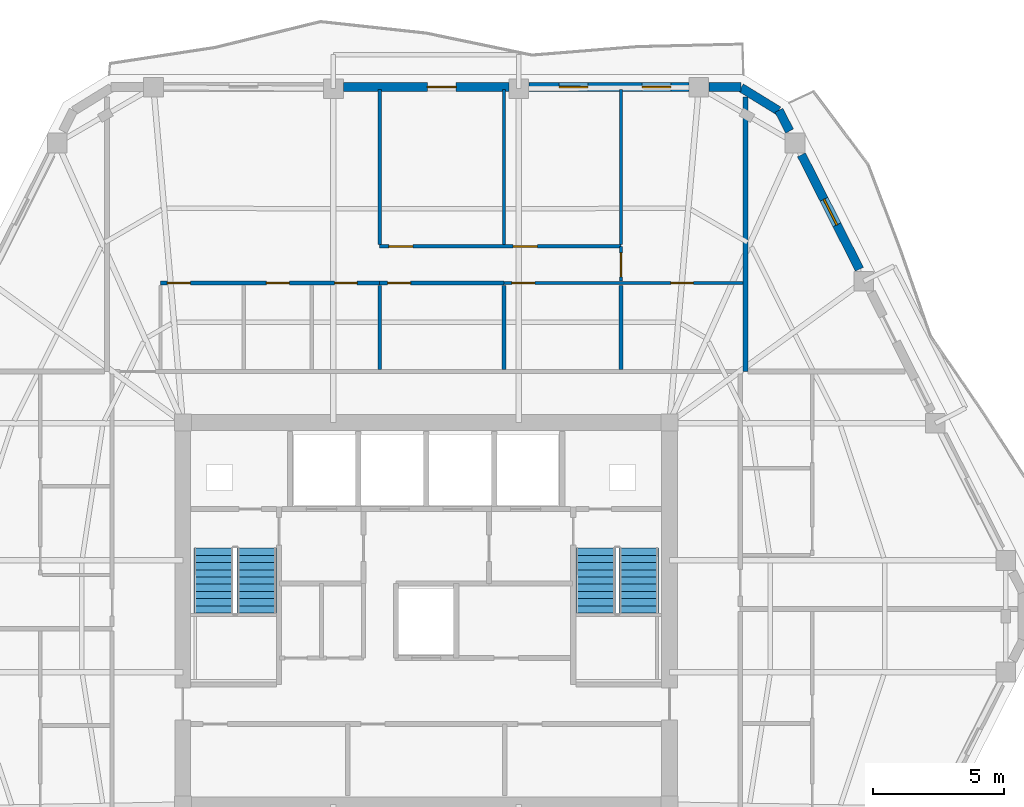
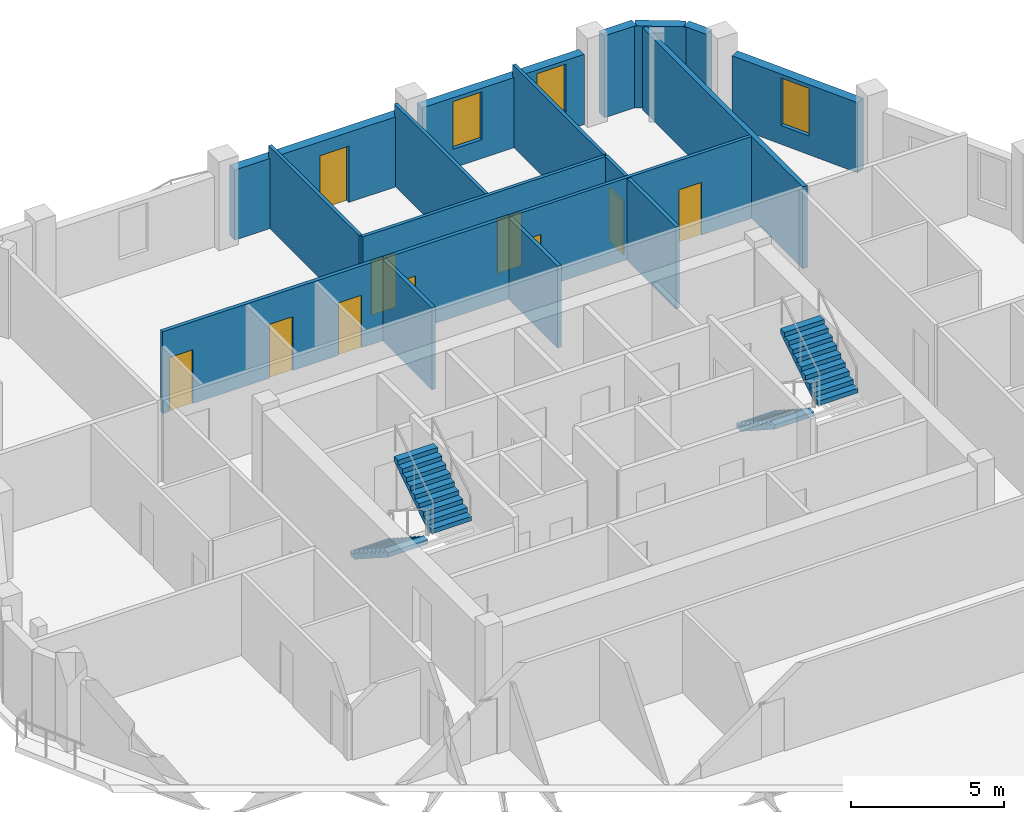
# One storey, part 7 of 10: 18 walls, 10 doors, 4 stair flights, 3 windows, 13 openings, 2 elements without a shape of their own.
"""IFC4 building model written with IfcOpenShell, lengths in metres."""

from ifc_helpers import new_model, si_unit, direction, frame, frame_2d, origin, place, context, subcontext, project, spatial, polyline, rectangle, outline, extrude, material, layer, layer_set, type_object, element, fill, aggregate, save


model = new_model("IFC4")

# Units and contexts
model_context = context("Model", 3, precision=1e-05, world=origin(), true_north=direction((0.0, 1.0)))
body_context = subcontext(model_context, "Body", "Model", "MODEL_VIEW")
ifc_project = project(units=[si_unit("LENGTHUNIT", "METRE"), si_unit("AREAUNIT", "SQUARE_METRE"), si_unit("VOLUMEUNIT", "CUBIC_METRE"), si_unit("PLANEANGLEUNIT", "RADIAN"), si_unit("MASSUNIT", "GRAM", prefix="KILO")], contexts=[model_context])

# Site, building, storey
site_placement = place(None, origin())
site = spatial("IfcSite", under=ifc_project, at=site_placement, CompositionType="ELEMENT")
building_placement = place(site_placement, origin())
building = spatial("IfcBuilding", under=site, at=building_placement, Name="Cinnabar Lancet Tower", CompositionType="ELEMENT")
storey_placement = place(building_placement, frame((0.0, 0.0, 218.050048828125)))
storey = spatial("IfcBuildingStorey", under=building, at=storey_placement, Name="L58", CompositionType="ELEMENT", Elevation=218.050048828125)

# Wall
ifc_material_1 = material(Name="Fire-rated twin-frame acoustic drywall", Category="gypsum")
ifc_layer_1 = layer(ifc_material_1, 0.179931640625)
ifc_layer_set_1 = layer_set([ifc_layer_1], Name="Fire-rated twin-frame acoustic drywall")
wall_type_1 = type_object("IfcWallType", Name="ARC-WL-PARTY-180", PredefinedType="PARTITIONING", material=ifc_layer_set_1)
wall_1_placement = place(storey_placement, frame((44.60009765625, 35.14990234375, 0.0), z_axis=(0.0, 0.0, 1.0), x_axis=(0.0, 1.0, 0.0)))
element("IfcWall", 1, at=wall_1_placement, inside=storey, type_object=wall_type_1, Name="PW-L58-NPTY-446", PredefinedType="PARTITIONING", context=body_context, shape_type="SweptSolid", body=[
    extrude(rectangle(XDim=10.482177734375, YDim=0.179931640625, at=frame_2d((5.2412109375, 0.0))), origin(), (0.0, 0.0, 1.0), 3.27001953125),
])

# Wall, openings, doors
ifc_material_2 = material(Name="Gypsum plasterboard stud partition", Category="gypsum")
ifc_layer_2 = layer(ifc_material_2, 0.125)
ifc_layer_set_2 = layer_set([ifc_layer_2], Name="Gypsum plasterboard stud partition")
wall_type_2 = type_object("IfcWallType", Name="ARC-WL-UNIT-125", PredefinedType="PARTITIONING", material=ifc_layer_set_2)
wall_2_placement = place(storey_placement, frame((35.375, 38.533935546875, 0.0), z_axis=(0.0, 0.0, 1.0), x_axis=(1.0, 0.0, 0.0)))
wall_2 = element("IfcWall", 2, at=wall_2_placement, inside=storey, type_object=wall_type_2, Name="UW-L58-N01-SP2", PredefinedType="PARTITIONING", context=body_context, shape_type="SweptSolid", body=[
    extrude(rectangle(XDim=9.1298828125, YDim=0.125, at=frame_2d((4.56494140625, 0.0))), origin(), (0.0, 0.0, 1.0), 3.27001953125),
])
opening_1_placement = place(wall_2_placement, frame((6.3759765625, 0.0, 0.0)))
opening_1 = element("IfcOpeningElement", 3, at=opening_1_placement, cuts=wall_2, Name="Opening BD-01", PredefinedType="OPENING", context=body_context, shape_type="SweptSolid", body=[
    extrude(rectangle(XDim=0.860107421875, YDim=2.10009765625, at=frame_2d((0.43017578125, 1.050048828125))), frame((0.0, 0.072509765625, 0.0), z_axis=(0.0, -1.0, 0.0), x_axis=(1.0, 0.0, 0.0)), (0.0, 0.0, 1.0), 0.14501953125),
])
opening_2_placement = place(wall_2_placement, frame((0.300048828125, 0.0, 0.0)))
opening_2 = element("IfcOpeningElement", 4, at=opening_2_placement, cuts=wall_2, Name="Opening RD-02", PredefinedType="OPENING", context=body_context, shape_type="SweptSolid", body=[
    extrude(rectangle(XDim=0.8798828125, YDim=2.14990234375, at=frame_2d((0.43994140625, 1.074951171875))), frame((0.0, 0.072509765625, 0.0), z_axis=(0.0, -1.0, 0.0), x_axis=(1.0, 0.0, 0.0)), (0.0, 0.0, 1.0), 0.14501953125),
])
ifc_material_3 = material(Name="Moisture-resistant timber bathroom door", Category="wood")
door_type_1 = type_object("IfcDoorType", Name="ARC-DR-BATH", OperationType="NOTDEFINED", PredefinedType="DOOR", material=ifc_material_3)
door_1_placement = place(opening_1_placement, origin())
door_1 = element("IfcDoor", 5, at=door_1_placement, inside=storey, type_object=door_type_1, Name="DR-L58-N01-ENS", OperationType="SINGLE_SWING_LEFT", OverallHeight=2.10009765625, OverallWidth=0.860107421875, PredefinedType="DOOR", context=body_context, shape_type="SweptSolid", body=[
    extrude(rectangle(XDim=0.860107421875, YDim=2.10009765625, at=frame_2d((0.43017578125, 1.050048828125))), frame((0.0, 0.02490234375, 0.0), z_axis=(0.0, -1.0, 0.0), x_axis=(1.0, 0.0, 0.0)), (0.0, 0.0, 1.0), 0.050048828125),
])
fill(opening_1, door_1)
ifc_material_4 = material(Name="Engineered timber study door", Category="wood")
door_type_2 = type_object("IfcDoorType", Name="ARC-DR-STUDY", OperationType="NOTDEFINED", PredefinedType="DOOR", material=ifc_material_4)
door_2_placement = place(opening_2_placement, origin())
door_2 = element("IfcDoor", 6, at=door_2_placement, inside=storey, type_object=door_type_2, Name="DR-L58-N01-DRS", OperationType="SINGLE_SWING_RIGHT", OverallHeight=2.14990234375, OverallWidth=0.8798828125, PredefinedType="DOOR", context=body_context, shape_type="SweptSolid", body=[
    extrude(rectangle(XDim=0.8798828125, YDim=2.14990234375, at=frame_2d((0.43994140625, 1.074951171875))), frame((0.0, 0.02490234375, 0.0), z_axis=(0.0, -1.0, 0.0), x_axis=(1.0, 0.0, 0.0)), (0.0, 0.0, 1.0), 0.050048828125),
])
fill(opening_2, door_2)

# Wall
wall_3_placement = place(storey_placement, frame((30.6220703125, 39.9990234375, 0.0), z_axis=(0.0, 0.0, 1.0), x_axis=(0.0, 1.0, 0.0)))
element("IfcWall", 7, at=wall_3_placement, inside=storey, type_object=wall_type_2, Name="UW-L58-N01-BD2W", PredefinedType="PARTITIONING", context=body_context, shape_type="SweptSolid", body=[
    extrude(rectangle(XDim=5.93603515625, YDim=0.125, at=frame_2d((2.968017578125, 0.0))), origin(), (0.0, 0.0, 1.0), 3.27001953125),
])

# Wall, openings, doors
wall_4_placement = place(storey_placement, frame((30.6220703125, 39.93408203125, 0.0), z_axis=(0.0, 0.0, 1.0), x_axis=(1.0, 0.0, 0.0)))
wall_4 = element("IfcWall", 8, at=wall_4_placement, inside=storey, type_object=wall_type_2, Name="UW-L58-N01-HLN", PredefinedType="PARTITIONING", context=body_context, shape_type="SweptSolid", body=[
    extrude(rectangle(XDim=9.224853515625, YDim=0.125, at=frame_2d((4.6123046875, 0.0))), origin(), (0.0, 0.0, 1.0), 3.27001953125),
])
opening_3_placement = place(wall_4_placement, frame((0.35009765625, 0.0, 0.0)))
opening_3 = element("IfcOpeningElement", 9, at=opening_3_placement, cuts=wall_4, Name="Opening RD-01", PredefinedType="OPENING", context=body_context, shape_type="SweptSolid", body=[
    extrude(rectangle(XDim=0.919921875, YDim=2.14990234375, at=frame_2d((0.4599609375, 1.074951171875))), frame((0.0, 0.072509765625, 0.0), z_axis=(0.0, -1.0, 0.0), x_axis=(1.0, 0.0, 0.0)), (0.0, 0.0, 1.0), 0.14501953125),
])
opening_4_placement = place(wall_4_placement, frame((5.10302734375, 0.0, 0.0)))
opening_4 = element("IfcOpeningElement", 10, at=opening_4_placement, cuts=wall_4, Name="Opening RD-01", PredefinedType="OPENING", context=body_context, shape_type="SweptSolid", body=[
    extrude(rectangle(XDim=0.919921875, YDim=2.14990234375, at=frame_2d((0.4599609375, 1.074951171875))), frame((0.0, 0.072509765625, 0.0), z_axis=(0.0, -1.0, 0.0), x_axis=(1.0, 0.0, 0.0)), (0.0, 0.0, 1.0), 0.14501953125),
])
ifc_material_5 = material(Name="Engineered timber bedroom door", Category="wood")
door_type_3 = type_object("IfcDoorType", Name="ARC-DR-ROOM", OperationType="NOTDEFINED", PredefinedType="DOOR", material=ifc_material_5)
door_3_placement = place(opening_3_placement, origin())
door_3 = element("IfcDoor", 11, at=door_3_placement, inside=storey, type_object=door_type_3, Name="DR-L58-N01-BD2", OperationType="SINGLE_SWING_LEFT", OverallHeight=2.14990234375, OverallWidth=0.919921875, PredefinedType="DOOR", context=body_context, shape_type="SweptSolid", body=[
    extrude(rectangle(XDim=0.919921875, YDim=2.14990234375, at=frame_2d((0.4599609375, 1.074951171875))), frame((0.0, 0.02490234375, 0.0), z_axis=(0.0, -1.0, 0.0), x_axis=(1.0, 0.0, 0.0)), (0.0, 0.0, 1.0), 0.050048828125),
])
fill(opening_3, door_3)
door_4_placement = place(opening_4_placement, origin())
door_4 = element("IfcDoor", 12, at=door_4_placement, inside=storey, type_object=door_type_3, Name="DR-L58-N01-BD3", OperationType="SINGLE_SWING_RIGHT", OverallHeight=2.14990234375, OverallWidth=0.919921875, PredefinedType="DOOR", context=body_context, shape_type="SweptSolid", body=[
    extrude(rectangle(XDim=0.919921875, YDim=2.14990234375, at=frame_2d((0.4599609375, 1.074951171875))), frame((0.0, 0.02490234375, 0.0), z_axis=(0.0, -1.0, 0.0), x_axis=(1.0, 0.0, 0.0)), (0.0, 0.0, 1.0), 0.050048828125),
])
fill(opening_4, door_4)

# Wall, opening, door
wall_5_placement = place(storey_placement, frame((39.846923828125, 38.60400390625, 0.0), z_axis=(0.0, 0.0, 1.0), x_axis=(0.0, 1.0, 0.0)))
wall_5 = element("IfcWall", 13, at=wall_5_placement, inside=storey, type_object=wall_type_2, Name="UW-L58-N01-MBE", PredefinedType="PARTITIONING", context=body_context, shape_type="SweptSolid", body=[
    extrude(rectangle(XDim=1.330078125, YDim=0.125, at=frame_2d((0.6650390625, 0.0))), origin(), (0.0, 0.0, 1.0), 3.27001953125),
])
opening_5_placement = place(wall_5_placement, frame((0.159912109375, 0.0, 0.0)))
opening_5 = element("IfcOpeningElement", 14, at=opening_5_placement, cuts=wall_5, Name="Opening RD-01", PredefinedType="OPENING", context=body_context, shape_type="SweptSolid", body=[
    extrude(rectangle(XDim=0.919921875, YDim=2.14990234375, at=frame_2d((0.4599609375, 1.074951171875))), frame((0.0, 0.072509765625, 0.0), z_axis=(0.0, -1.0, 0.0), x_axis=(1.0, 0.0, 0.0)), (0.0, 0.0, 1.0), 0.14501953125),
])
door_5_placement = place(opening_5_placement, origin())
door_5 = element("IfcDoor", 15, at=door_5_placement, inside=storey, type_object=door_type_3, Name="DR-L58-N01-MBD", OperationType="SINGLE_SWING_LEFT", OverallHeight=2.14990234375, OverallWidth=0.919921875, PredefinedType="DOOR", context=body_context, shape_type="SweptSolid", body=[
    extrude(rectangle(XDim=0.919921875, YDim=2.14990234375, at=frame_2d((0.4599609375, 1.074951171875))), frame((0.0, 0.02490234375, 0.0), z_axis=(0.0, -1.0, 0.0), x_axis=(1.0, 0.0, 0.0)), (0.0, 0.0, 1.0), 0.050048828125),
])
fill(opening_5, door_5)

# Walls
for number, where, z_axis, x_axis, name in (
    (16, (35.375, 39.9990234375, 0.0), (0.0, 0.0, 1.0), (0.0, 1.0, 0.0), "UW-L58-N01-MB2W"),
    (17, (39.846923828125, 39.9990234375, 0.0), (0.0, 0.0, 1.0), (0.0, 1.0, 0.0), "UW-L58-N01-B23W"),
):
    element("IfcWall", number, at=place(storey_placement, frame(where, z_axis=z_axis, x_axis=x_axis)), inside=storey, type_object=wall_type_2, Name=name, PredefinedType="PARTITIONING", context=body_context, shape_type="SweptSolid", body=[
        extrude(rectangle(XDim=5.93603515625, YDim=0.125, at=frame_2d((2.968017578125, 0.0))), origin(), (0.0, 0.0, 1.0), 3.27001953125),
    ])

# Wall, openings, doors
ifc_material_6 = material(Name="Moisture-resistant cement-board plumbing wall", Category="masonry")
ifc_layer_3 = layer(ifc_material_6, 0.139892578125)
ifc_layer_set_3 = layer_set([ifc_layer_3], Name="Moisture-resistant cement-board plumbing wall")
wall_type_3 = type_object("IfcWallType", Name="ARC-WL-WET-140", PredefinedType="PLUMBINGWALL", material=ifc_layer_set_3)
wall_6_placement = place(storey_placement, frame((22.25, 38.533935546875, 0.0), z_axis=(0.0, 0.0, 1.0), x_axis=(1.0, 0.0, 0.0)))
wall_6 = element("IfcWall", 18, at=wall_6_placement, inside=storey, type_object=wall_type_3, Name="UW-L58-N01-SPL", PredefinedType="PLUMBINGWALL", context=body_context, shape_type="SweptSolid", body=[
    extrude(rectangle(XDim=8.3720703125, YDim=0.139892578125, at=frame_2d((4.18603515625, 0.0))), origin(), (0.0, 0.0, 1.0), 3.27001953125),
])
opening_6_placement = place(wall_6_placement, frame((6.64990234375, 0.0, 0.0)))
opening_6 = element("IfcOpeningElement", 19, at=opening_6_placement, cuts=wall_6, Name="Opening BD-01", PredefinedType="OPENING", context=body_context, shape_type="SweptSolid", body=[
    extrude(rectangle(XDim=0.860107421875, YDim=2.10009765625, at=frame_2d((0.43017578125, 1.050048828125))), frame((0.0, 0.079833984375, 0.0), z_axis=(0.0, -1.0, 0.0), x_axis=(1.0, 0.0, 0.0)), (0.0, 0.0, 1.0), 0.159912109375),
])
opening_7_placement = place(wall_6_placement, frame((0.260009765625, 0.0, 0.0)))
opening_7 = element("IfcOpeningElement", 20, at=opening_7_placement, cuts=wall_6, Name="Opening RD-02", PredefinedType="OPENING", context=body_context, shape_type="SweptSolid", body=[
    extrude(rectangle(XDim=0.8798828125, YDim=2.14990234375, at=frame_2d((0.43994140625, 1.074951171875))), frame((0.0, 0.079833984375, 0.0), z_axis=(0.0, -1.0, 0.0), x_axis=(1.0, 0.0, 0.0)), (0.0, 0.0, 1.0), 0.159912109375),
])
opening_8_placement = place(wall_6_placement, frame((4.0390625, 0.0, 0.0)))
opening_8 = element("IfcOpeningElement", 21, at=opening_8_placement, cuts=wall_6, Name="Opening RD-02", PredefinedType="OPENING", context=body_context, shape_type="SweptSolid", body=[
    extrude(rectangle(XDim=0.8798828125, YDim=2.14990234375, at=frame_2d((0.43994140625, 1.074951171875))), frame((0.0, 0.079833984375, 0.0), z_axis=(0.0, -1.0, 0.0), x_axis=(1.0, 0.0, 0.0)), (0.0, 0.0, 1.0), 0.159912109375),
])
door_6_placement = place(opening_6_placement, origin())
door_6 = element("IfcDoor", 22, at=door_6_placement, inside=storey, type_object=door_type_1, Name="DR-L58-N01-BTH", OperationType="SINGLE_SWING_LEFT", OverallHeight=2.10009765625, OverallWidth=0.860107421875, PredefinedType="DOOR", context=body_context, shape_type="SweptSolid", body=[
    extrude(rectangle(XDim=0.860107421875, YDim=2.10009765625, at=frame_2d((0.43017578125, 1.050048828125))), frame((0.0, 0.02490234375, 0.0), z_axis=(0.0, -1.0, 0.0), x_axis=(1.0, 0.0, 0.0)), (0.0, 0.0, 1.0), 0.050048828125),
])
fill(opening_6, door_6)
door_7_placement = place(opening_7_placement, origin())
door_7 = element("IfcDoor", 23, at=door_7_placement, inside=storey, type_object=door_type_2, Name="DR-L58-N01-KIT", OperationType="SINGLE_SWING_LEFT", OverallHeight=2.14990234375, OverallWidth=0.8798828125, PredefinedType="DOOR", context=body_context, shape_type="SweptSolid", body=[
    extrude(rectangle(XDim=0.8798828125, YDim=2.14990234375, at=frame_2d((0.43994140625, 1.074951171875))), frame((0.0, 0.02490234375, 0.0), z_axis=(0.0, -1.0, 0.0), x_axis=(1.0, 0.0, 0.0)), (0.0, 0.0, 1.0), 0.050048828125),
])
fill(opening_7, door_7)
door_8_placement = place(opening_8_placement, origin())
door_8 = element("IfcDoor", 24, at=door_8_placement, inside=storey, type_object=door_type_2, Name="DR-L58-N01-STD", OperationType="SINGLE_SWING_RIGHT", OverallHeight=2.14990234375, OverallWidth=0.8798828125, PredefinedType="DOOR", context=body_context, shape_type="SweptSolid", body=[
    extrude(rectangle(XDim=0.8798828125, YDim=2.14990234375, at=frame_2d((0.43994140625, 1.074951171875))), frame((0.0, 0.02490234375, 0.0), z_axis=(0.0, -1.0, 0.0), x_axis=(1.0, 0.0, 0.0)), (0.0, 0.0, 1.0), 0.050048828125),
])
fill(opening_8, door_8)

# Wall, opening, door
wall_7_placement = place(storey_placement, frame((30.6220703125, 38.533935546875, 0.0), z_axis=(0.0, 0.0, 1.0), x_axis=(1.0, 0.0, 0.0)))
wall_7 = element("IfcWall", 25, at=wall_7_placement, inside=storey, type_object=wall_type_3, Name="UW-L58-N01-SPM", PredefinedType="PLUMBINGWALL", context=body_context, shape_type="SweptSolid", body=[
    extrude(rectangle(XDim=4.7529296875, YDim=0.139892578125, at=frame_2d((2.37646484375, 0.0))), origin(), (0.0, 0.0, 1.0), 3.27001953125),
])
opening_9_placement = place(wall_7_placement, frame((0.300048828125, 0.0, 0.0)))
opening_9 = element("IfcOpeningElement", 26, at=opening_9_placement, cuts=wall_7, Name="Opening RD-02", PredefinedType="OPENING", context=body_context, shape_type="SweptSolid", body=[
    extrude(rectangle(XDim=0.8798828125, YDim=2.14990234375, at=frame_2d((0.43994140625, 1.074951171875))), frame((0.0, 0.079833984375, 0.0), z_axis=(0.0, -1.0, 0.0), x_axis=(1.0, 0.0, 0.0)), (0.0, 0.0, 1.0), 0.159912109375),
])
door_9_placement = place(opening_9_placement, origin())
door_9 = element("IfcDoor", 27, at=door_9_placement, inside=storey, type_object=door_type_2, Name="DR-L58-N01-UTL", OperationType="SINGLE_SWING_RIGHT", OverallHeight=2.14990234375, OverallWidth=0.8798828125, PredefinedType="DOOR", context=body_context, shape_type="SweptSolid", body=[
    extrude(rectangle(XDim=0.8798828125, YDim=2.14990234375, at=frame_2d((0.43994140625, 1.074951171875))), frame((0.0, 0.02490234375, 0.0), z_axis=(0.0, -1.0, 0.0), x_axis=(1.0, 0.0, 0.0)), (0.0, 0.0, 1.0), 0.050048828125),
])
fill(opening_9, door_9)

# Walls
for number, where, z_axis, x_axis, name in (
    (28, (30.6220703125, 35.235107421875, 0.0), (0.0, 0.0, 1.0), (0.0, 1.0, 0.0), "UW-L58-N01-ENSW"),
    (29, (35.375, 35.235107421875, 0.0), (0.0, 0.0, 1.0), (0.0, 1.0, 0.0), "UW-L58-N01-ENSE"),
    (30, (39.846923828125, 35.235107421875, 0.0), (0.0, 0.0, 1.0), (0.0, 1.0, 0.0), "UW-L58-N01-UT3"),
):
    element("IfcWall", number, at=place(storey_placement, frame(where, z_axis=z_axis, x_axis=x_axis)), inside=storey, type_object=wall_type_3, Name=name, PredefinedType="PLUMBINGWALL", context=body_context, shape_type="SweptSolid", body=[
        extrude(rectangle(XDim=3.19384765625, YDim=0.139892578125, at=frame_2d((1.596923828125, 0.0))), origin(), (0.0, 0.0, 1.0), 3.27001953125),
    ])
ifc_material_7 = material(Name="Cinnabar red clay brick", Category="masonry")
ifc_layer_4 = layer(ifc_material_7, 0.340087890625)
ifc_layer_set_4 = layer_set([ifc_layer_4], Name="Cinnabar red clay brick")
wall_type_4 = type_object("IfcWallType", Name="ENV-WL-BRK-RED-340", PredefinedType="STANDARD", material=ifc_layer_set_4)
wall_8_placement = place(storey_placement, frame((45.862060546875, 45.115966796875, 0.0), z_axis=(0.0, 0.0, 1.0), x_axis=(-0.851713271379, 0.524008113828, 0.0)))
element("IfcWall", 31, at=wall_8_placement, inside=storey, type_object=wall_type_4, Name="L58 Chamfered Corner Brick Pier 4.1", PredefinedType="STANDARD", context=body_context, shape_type="SweptSolid", body=[
    extrude(rectangle(XDim=1.677734375, YDim=0.340087890625, at=frame_2d((0.8388671875, 0.0))), origin(), (0.0, 0.0, 1.0), 3.27001953125),
])

# Wall, opening, window
wall_9_placement = place(storey_placement, frame((48.95703125, 39.054931640625, 0.0), z_axis=(0.0, 0.0, 1.0), x_axis=(-0.451524246964, 0.89225884944, 0.0)))
wall_9 = element("IfcWall", 32, at=wall_9_placement, inside=storey, type_object=wall_type_4, Name="L58 Face 3 Masonry Bay Wall 4", PredefinedType="STANDARD", context=body_context, shape_type="SweptSolid", body=[
    extrude(rectangle(XDim=4.91015625, YDim=0.340087890625, at=frame_2d((2.455078125, 0.0))), origin(), (0.0, 0.0, 1.0), 2.802978515625),
])
opening_10_placement = place(wall_9_placement, frame((1.905029296875, 0.0, 0.75)))
opening_10 = element("IfcOpeningElement", 33, at=opening_10_placement, cuts=wall_9, Name="Opening WN-04", PredefinedType="OPENING", context=body_context, shape_type="SweptSolid", body=[
    extrude(rectangle(XDim=1.10009765625, YDim=1.903076171875, at=frame_2d((0.550048828125, 0.95166015625))), frame((0.0, 0.179931640625, 0.0), z_axis=(0.0, -1.0, 0.0), x_axis=(1.0, 0.0, 0.0)), (0.0, 0.0, 1.0), 0.360107421875),
])
ifc_material_8 = material(Name="Thermally broken bronze-anodized aluminium tall lancet window", Category="aluminium")
window_type = type_object("IfcWindowType", Name="ENV-WN-LANCET-1100", PartitioningType="SINGLE_PANEL", PredefinedType="WINDOW", material=ifc_material_8)
window_1_placement = place(opening_10_placement, origin())
window_1 = element("IfcWindow", 34, at=window_1_placement, inside=storey, type_object=window_type, Name="L58 Face 3 Gothic Lancet Window 4", OverallHeight=1.903076171875, OverallWidth=1.10009765625, PartitioningType="SINGLE_PANEL", PredefinedType="WINDOW", context=body_context, shape_type="SweptSolid", body=[
    extrude(rectangle(XDim=1.10009765625, YDim=1.903076171875, at=frame_2d((0.550048828125, 0.95166015625))), frame((0.0, 0.030029296875, 0.0), z_axis=(0.0, -1.0, 0.0), x_axis=(1.0, 0.0, 0.0)), (0.0, 0.0, 1.0), 0.06005859375),
])
fill(opening_10, window_1)

# Walls
wall_10_placement = place(storey_placement, frame((46.283935546875, 44.337890625, 0.0), z_axis=(0.0, 0.0, 1.0), x_axis=(-0.451487459758, 0.892277464515, 0.0)))
element("IfcWall", 35, at=wall_10_placement, inside=storey, type_object=wall_type_4, Name="L58 Face 3 Masonry Bay Wall 5", PredefinedType="STANDARD", context=body_context, shape_type="SweptSolid", body=[
    extrude(rectangle(XDim=0.89013671875, YDim=0.340087890625, at=frame_2d((0.445068359375, 0.0))), origin(), (0.0, 0.0, 1.0), 3.27001953125),
])
wall_11_placement = place(storey_placement, frame((44.43798828125, 46.02001953125, 0.0), z_axis=(0.0, 0.0, 1.0), x_axis=(-1.0, 0.0, 0.0)))
element("IfcWall", 36, at=wall_11_placement, inside=storey, type_object=wall_type_4, Name="L58 Face 4 Masonry Bay Wall 1", PredefinedType="STANDARD", context=body_context, shape_type="SweptSolid", body=[
    extrude(rectangle(XDim=1.238037109375, YDim=0.340087890625, at=frame_2d((0.619140625, 0.0))), origin(), (0.0, 0.0, 1.0), 3.27001953125),
])

# Wall, openings, windows
wall_12_placement = place(storey_placement, frame((42.44189453125, 46.02001953125, 0.0), z_axis=(0.0, 0.0, 1.0), x_axis=(-1.0, 0.0, 0.0)))
wall_12 = element("IfcWall", 37, at=wall_12_placement, inside=storey, type_object=wall_type_4, Name="L58 Face 4 Masonry Bay Wall 2", PredefinedType="STANDARD", context=body_context, shape_type="SweptSolid", body=[
    extrude(rectangle(XDim=6.119873046875, YDim=0.340087890625, at=frame_2d((3.06005859375, 0.0))), origin(), (0.0, 0.0, 1.0), 2.802978515625),
])
opening_11_placement = place(wall_12_placement, frame((0.69091796875, 0.0, 0.75)))
opening_11 = element("IfcOpeningElement", 38, at=opening_11_placement, cuts=wall_12, Name="Opening WN-04", PredefinedType="OPENING", context=body_context, shape_type="SweptSolid", body=[
    extrude(rectangle(XDim=1.10009765625, YDim=1.903076171875, at=frame_2d((0.550048828125, 0.95166015625))), frame((0.0, 0.179931640625, 0.0), z_axis=(0.0, -1.0, 0.0), x_axis=(1.0, 0.0, 0.0)), (0.0, 0.0, 1.0), 0.360107421875),
])
opening_12_placement = place(wall_12_placement, frame((3.864013671875, 0.0, 0.75)))
opening_12 = element("IfcOpeningElement", 39, at=opening_12_placement, cuts=wall_12, Name="Opening WN-04", PredefinedType="OPENING", context=body_context, shape_type="SweptSolid", body=[
    extrude(rectangle(XDim=1.10009765625, YDim=1.903076171875, at=frame_2d((0.550048828125, 0.95166015625))), frame((0.0, 0.179931640625, 0.0), z_axis=(0.0, -1.0, 0.0), x_axis=(1.0, 0.0, 0.0)), (0.0, 0.0, 1.0), 0.360107421875),
])
window_2_placement = place(opening_11_placement, origin())
window_2 = element("IfcWindow", 40, at=window_2_placement, inside=storey, type_object=window_type, Name="L58 Face 4 Gothic Lancet Window 2", OverallHeight=1.903076171875, OverallWidth=1.10009765625, PartitioningType="SINGLE_PANEL", PredefinedType="WINDOW", context=body_context, shape_type="SweptSolid", body=[
    extrude(rectangle(XDim=1.10009765625, YDim=1.903076171875, at=frame_2d((0.550048828125, 0.95166015625))), frame((0.0, 0.030029296875, 0.0), z_axis=(0.0, -1.0, 0.0), x_axis=(1.0, 0.0, 0.0)), (0.0, 0.0, 1.0), 0.06005859375),
])
fill(opening_11, window_2)
window_3_placement = place(opening_12_placement, origin())
window_3 = element("IfcWindow", 41, at=window_3_placement, inside=storey, type_object=window_type, Name="L58 Split-Bay Gothic Lancet Window 204", OverallHeight=1.903076171875, OverallWidth=1.10009765625, PartitioningType="SINGLE_PANEL", PredefinedType="WINDOW", context=body_context, shape_type="SweptSolid", body=[
    extrude(rectangle(XDim=1.10009765625, YDim=1.903076171875, at=frame_2d((0.550048828125, 0.95166015625))), frame((0.0, 0.030029296875, 0.0), z_axis=(0.0, -1.0, 0.0), x_axis=(1.0, 0.0, 0.0)), (0.0, 0.0, 1.0), 0.06005859375),
])
fill(opening_12, window_3)

# Wall, opening, door
wall_13_placement = place(storey_placement, frame((35.56396484375, 46.02001953125, 0.0), z_axis=(0.0, 0.0, 1.0), x_axis=(-1.0, 0.0, 0.0)))
wall_13 = element("IfcWall", 42, at=wall_13_placement, inside=storey, type_object=wall_type_4, Name="L58 Face 4 Masonry Bay Wall 3", PredefinedType="STANDARD", context=body_context, shape_type="SweptSolid", body=[
    extrude(rectangle(XDim=6.327880859375, YDim=0.340087890625, at=frame_2d((3.1640625, 0.0))), origin(), (0.0, 0.0, 1.0), 2.802978515625),
])
opening_13_placement = place(wall_13_placement, frame((2.01611328125, 0.0, 0.0)))
opening_13 = element("IfcOpeningElement", 43, at=opening_13_placement, cuts=wall_13, Name="Opening TD-01", PredefinedType="OPENING", context=body_context, shape_type="SweptSolid", body=[
    extrude(rectangle(XDim=1.10009765625, YDim=2.25, at=frame_2d((0.550048828125, 1.125))), frame((0.0, 0.179931640625, 0.0), z_axis=(0.0, -1.0, 0.0), x_axis=(1.0, 0.0, 0.0)), (0.0, 0.0, 1.0), 0.360107421875),
])
ifc_material_9 = material(Name="Thermally broken low-E glazed balcony terrace door", Category="wood")
door_type_4 = type_object("IfcDoorType", Name="ARC-DR-BALC", OperationType="NOTDEFINED", PredefinedType="DOOR", material=ifc_material_9)
door_10_placement = place(opening_13_placement, origin())
door_10 = element("IfcDoor", 44, at=door_10_placement, inside=storey, type_object=door_type_4, Name="L58 Face 4 Glazed Terrace Door", OperationType="SINGLE_SWING_LEFT", OverallHeight=2.25, OverallWidth=1.10009765625, PredefinedType="DOOR", context=body_context, shape_type="SweptSolid", body=[
    extrude(rectangle(XDim=1.10009765625, YDim=2.25, at=frame_2d((0.550048828125, 1.125))), frame((0.0, 0.02490234375, 0.0), z_axis=(0.0, -1.0, 0.0), x_axis=(1.0, 0.0, 0.0)), (0.0, 0.0, 1.0), 0.050048828125),
])
fill(opening_13, door_10)

# Stair, stair flights
ifc_material_10 = material(Name="Concrete C40/50", Category="concrete")
stair_type = type_object("IfcStairType", Name="ST-CORE", PredefinedType="HALF_TURN_STAIR", material=ifc_material_10)
stair_1_placement = place(storey_placement, origin())
stair_1 = element("IfcStair", 45, at=stair_1_placement, inside=storey, type_object=stair_type, Name="L58 ST-1", PredefinedType="HALF_TURN_STAIR")
ifc_material_11 = material(Name="Concrete C40/50", Category="concrete")
stair_flight_type = type_object("IfcStairFlightType", Name="FLIGHT-CORE", PredefinedType="STRAIGHT", material=ifc_material_11)
stair_flight_1_placement = place(storey_placement, frame((24.27490234375, 28.39990234375, 0.0), z_axis=(0.0, 0.0, 1.0), x_axis=(0.0, -1.0, 0.0)))
stair_flight_1 = element("IfcStairFlight", 46, at=stair_flight_1_placement, type_object=stair_flight_type, Name="ST-1 flight 1", NumberOfRisers=10, NumberOfTreads=9, PredefinedType="STRAIGHT", RiserHeight=0.1775, TreadLength=0.275, context=body_context, shape_type="SweptSolid", body=[
    extrude(outline(polyline([(0.0, 0.0), (0.0, 0.177490234375), (0.27490234375, 0.177490234375), (0.27490234375, 0.35498046875), (0.550048828125, 0.35498046875), (0.550048828125, 0.532470703125), (0.824951171875, 0.532470703125), (0.824951171875, 0.7099609375), (1.10009765625, 0.7099609375), (1.10009765625, 0.887451171875), (1.375, 0.887451171875), (1.375, 1.06494140625), (1.64990234375, 1.06494140625), (1.64990234375, 1.242431640625), (1.925048828125, 1.242431640625), (1.925048828125, 1.419921875), (2.199951171875, 1.419921875), (2.199951171875, 1.597412109375), (2.47509765625, 1.597412109375), (2.47509765625, 1.77490234375), (2.47509765625, 1.419189453125), (0.2763671875, 0.0), (0.0, 0.0)])), frame((0.0, 0.75, 0.0), z_axis=(0.0, -1.0, 0.0), x_axis=(1.0, 0.0, 0.0)), (0.0, 0.0, 1.0), 1.5),
])
stair_flight_2_placement = place(storey_placement, frame((25.925048828125, 25.925048828125, 1.77490234375), z_axis=(0.0, 0.0, 1.0), x_axis=(0.0, 1.0, 0.0)))
stair_flight_2 = element("IfcStairFlight", 47, at=stair_flight_2_placement, type_object=stair_flight_type, Name="ST-1 flight 2", NumberOfRisers=10, NumberOfTreads=9, PredefinedType="STRAIGHT", RiserHeight=0.1775, TreadLength=0.275, context=body_context, shape_type="SweptSolid", body=[
    extrude(outline(polyline([(0.0, 0.0), (0.0, 0.177490234375), (0.27490234375, 0.177490234375), (0.27490234375, 0.35498046875), (0.550048828125, 0.35498046875), (0.550048828125, 0.532470703125), (0.824951171875, 0.532470703125), (0.824951171875, 0.7099609375), (1.10009765625, 0.7099609375), (1.10009765625, 0.887451171875), (1.375, 0.887451171875), (1.375, 1.06494140625), (1.64990234375, 1.06494140625), (1.64990234375, 1.242431640625), (1.925048828125, 1.242431640625), (1.925048828125, 1.419921875), (2.199951171875, 1.419921875), (2.199951171875, 1.597412109375), (2.47509765625, 1.597412109375), (2.47509765625, 1.77490234375), (2.47509765625, 1.419189453125), (0.2763671875, 0.0), (0.0, 0.0)])), frame((0.0, 0.75, 0.0), z_axis=(0.0, -1.0, 0.0), x_axis=(1.0, 0.0, 0.0)), (0.0, 0.0, 1.0), 1.5),
])
aggregate(stair_1, [stair_flight_1, stair_flight_2])

stair_2_placement = place(storey_placement, origin())
stair_2 = element("IfcStair", 48, at=stair_2_placement, inside=storey, type_object=stair_type, Name="L58 ST-2", PredefinedType="HALF_TURN_STAIR")
stair_flight_3_placement = place(storey_placement, frame((38.875, 28.39990234375, 0.0), z_axis=(0.0, 0.0, 1.0), x_axis=(0.0, -1.0, 0.0)))
stair_flight_3 = element("IfcStairFlight", 49, at=stair_flight_3_placement, type_object=stair_flight_type, Name="ST-2 flight 1", NumberOfRisers=10, NumberOfTreads=9, PredefinedType="STRAIGHT", RiserHeight=0.1775, TreadLength=0.275, context=body_context, shape_type="SweptSolid", body=[
    extrude(outline(polyline([(0.0, 0.0), (0.0, 0.177490234375), (0.27490234375, 0.177490234375), (0.27490234375, 0.35498046875), (0.550048828125, 0.35498046875), (0.550048828125, 0.532470703125), (0.824951171875, 0.532470703125), (0.824951171875, 0.7099609375), (1.10009765625, 0.7099609375), (1.10009765625, 0.887451171875), (1.375, 0.887451171875), (1.375, 1.06494140625), (1.64990234375, 1.06494140625), (1.64990234375, 1.242431640625), (1.925048828125, 1.242431640625), (1.925048828125, 1.419921875), (2.199951171875, 1.419921875), (2.199951171875, 1.597412109375), (2.47509765625, 1.597412109375), (2.47509765625, 1.77490234375), (2.47509765625, 1.419189453125), (0.2763671875, 0.0), (0.0, 0.0)])), frame((0.0, 0.75, 0.0), z_axis=(0.0, -1.0, 0.0), x_axis=(1.0, 0.0, 0.0)), (0.0, 0.0, 1.0), 1.5),
])
stair_flight_4_placement = place(storey_placement, frame((40.52490234375, 25.925048828125, 1.77490234375), z_axis=(0.0, 0.0, 1.0), x_axis=(0.0, 1.0, 0.0)))
stair_flight_4 = element("IfcStairFlight", 50, at=stair_flight_4_placement, type_object=stair_flight_type, Name="ST-2 flight 2", NumberOfRisers=10, NumberOfTreads=9, PredefinedType="STRAIGHT", RiserHeight=0.1775, TreadLength=0.275, context=body_context, shape_type="SweptSolid", body=[
    extrude(outline(polyline([(0.0, 0.0), (0.0, 0.177490234375), (0.27490234375, 0.177490234375), (0.27490234375, 0.35498046875), (0.550048828125, 0.35498046875), (0.550048828125, 0.532470703125), (0.824951171875, 0.532470703125), (0.824951171875, 0.7099609375), (1.10009765625, 0.7099609375), (1.10009765625, 0.887451171875), (1.375, 0.887451171875), (1.375, 1.06494140625), (1.64990234375, 1.06494140625), (1.64990234375, 1.242431640625), (1.925048828125, 1.242431640625), (1.925048828125, 1.419921875), (2.199951171875, 1.419921875), (2.199951171875, 1.597412109375), (2.47509765625, 1.597412109375), (2.47509765625, 1.77490234375), (2.47509765625, 1.419189453125), (0.2763671875, 0.0), (0.0, 0.0)])), frame((0.0, 0.75, 0.0), z_axis=(0.0, -1.0, 0.0), x_axis=(1.0, 0.0, 0.0)), (0.0, 0.0, 1.0), 1.5),
])
aggregate(stair_2, [stair_flight_3, stair_flight_4])

save(model, "model.ifc")
